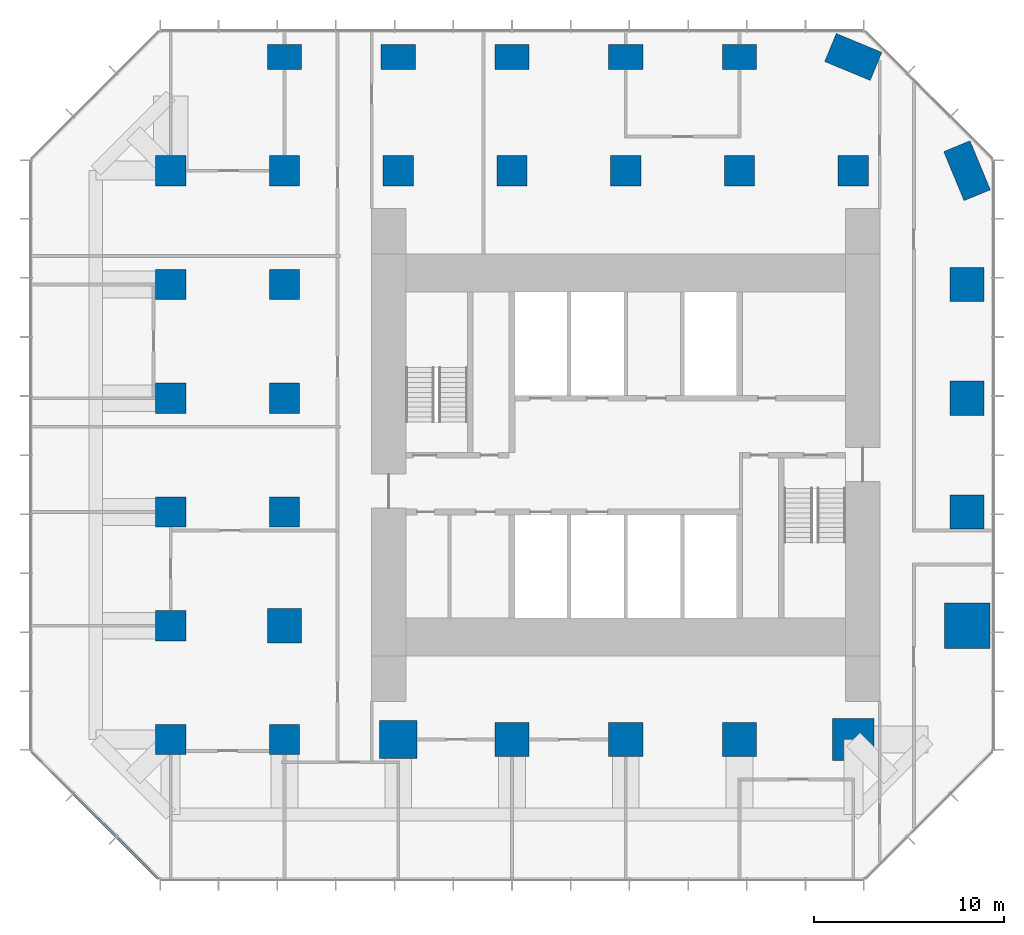
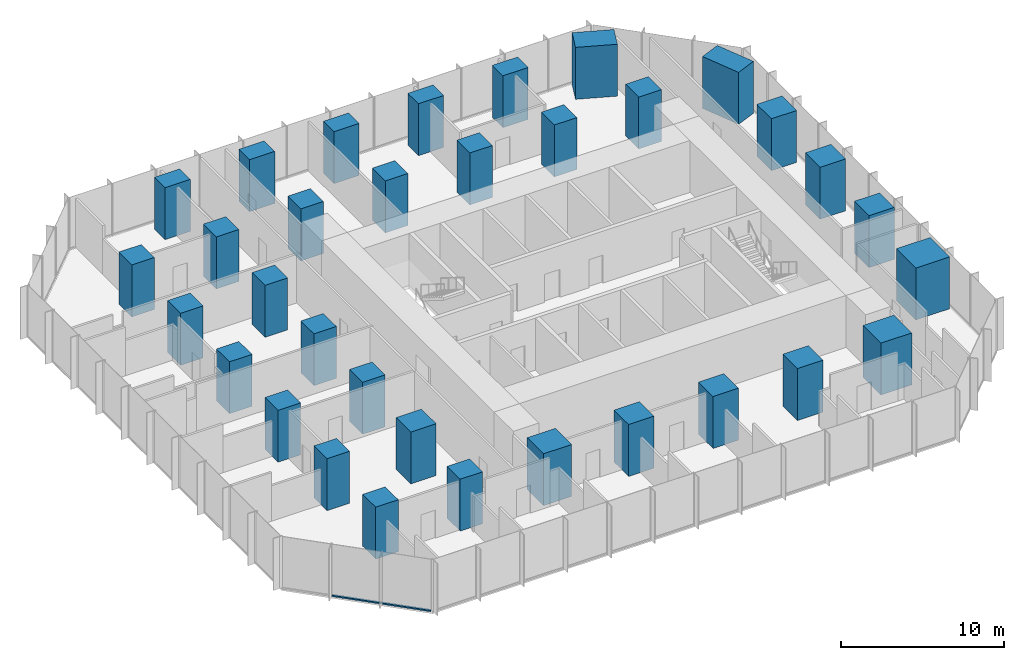
# One storey, part 1 of 11: 33 columns, 2 members, 1 element without a shape of its own.
"""IFC4 building model written with IfcOpenShell, lengths in metres."""

import ifcopenshell
import ifcopenshell.guid

model = None  # the IFC model being written
_history = None  # IfcOwnerHistory: only IFC2X3 demands one
_inside = {}  # id of a spatial element -> (the spatial element, [elements in it])
_under = {}  # id of a project, library or spatial element -> (it, [spatial elements below it])
_declared = {}  # id of a project -> (the project, [libraries it declares])
_typed = {}  # id of a type object -> (the type object, [elements of that type])
_made_of = {}  # id of a material, layer set ... -> (it, [elements and type objects made of it])


def new_model(schema):
    """Start an empty IFC model of exactly this schema.

    Asked for "IFC4X3", IfcOpenShell would pick the latest addendum, in which some entities
    have other attributes; the version numbers below select the first issue.
    IFC2X3 requires an IfcOwnerHistory on every rooted entity: one is made here for all.
    """
    global model, _history
    if schema == "IFC4X3":
        model = ifcopenshell.file(schema_version=(4, 3, 0, 0))
    else:
        model = ifcopenshell.file(schema=schema)
    _inside.clear()
    _under.clear()
    _declared.clear()
    _typed.clear()
    _made_of.clear()
    _history = None
    if model.schema == "IFC2X3":
        org = make("IfcOrganization", Name="unknown")
        user = make(
            "IfcPersonAndOrganization",
            ThePerson=make("IfcPerson", FamilyName="unknown"),
            TheOrganization=org,
        )
        app = make(
            "IfcApplication",
            ApplicationDeveloper=org,
            Version="unknown",
            ApplicationFullName="unknown",
            ApplicationIdentifier="unknown",
        )
        _history = make(
            "IfcOwnerHistory",
            OwningUser=user,
            OwningApplication=app,
            ChangeAction="ADDED",
            CreationDate=0,
        )
    return model


def make(cls, **values):
    """One entity of the class cls with the attributes given. An attribute that is None is left unset."""
    return model.create_entity(
        cls, **{name: value for name, value in values.items() if value is not None}
    )


def rooted(cls, **values):
    """An entity with a GlobalId (a new one), such as an element, a storey or a relation."""
    return make(cls, GlobalId=ifcopenshell.guid.new(), OwnerHistory=_history, **values)


def si_unit(unit_type, name, prefix=None):
    """IfcSIUnit, for example si_unit("LENGTHUNIT", "METRE", prefix="MILLI")."""
    return make("IfcSIUnit", UnitType=unit_type, Prefix=prefix, Name=name)


def assignment(units):
    """IfcUnitAssignment: the units of a project."""
    return None if units is None else make("IfcUnitAssignment", Units=units)


def point(xyz):
    """IfcCartesianPoint."""
    return None if xyz is None else make("IfcCartesianPoint", Coordinates=xyz)


def direction(xyz):
    """IfcDirection."""
    return None if xyz is None else make("IfcDirection", DirectionRatios=xyz)


def frame(location, z_axis=None, x_axis=None):
    """IfcAxis2Placement3D, a coordinate frame: its origin and axes. An axis left out is left unset."""
    return make(
        "IfcAxis2Placement3D",
        Location=point(location),
        Axis=direction(z_axis),
        RefDirection=direction(x_axis),
    )


def frame_2d(location, x_axis=None):
    """IfcAxis2Placement2D, a coordinate frame in the plane: its origin and x axis."""
    return make(
        "IfcAxis2Placement2D", Location=point(location), RefDirection=direction(x_axis)
    )


def origin():
    """The frame at (0, 0, 0) with its axes left unset."""
    return frame((0.0, 0.0, 0.0))


def origin_2d():
    """The frame at (0, 0) in the plane with its x axis left unset."""
    return frame_2d((0.0, 0.0))


def place(relative_to, where):
    """IfcLocalPlacement: puts the frame where relative to a parent placement (None: the world)."""
    return make(
        "IfcLocalPlacement", PlacementRelTo=relative_to, RelativePlacement=where
    )


def context(
    kind, dimensions, precision=None, world=None, true_north=None, identifier=None
):
    """IfcGeometricRepresentationContext, for example the 3D "Model" context."""
    return make(
        "IfcGeometricRepresentationContext",
        ContextIdentifier=identifier,
        ContextType=kind,
        CoordinateSpaceDimension=dimensions,
        Precision=precision,
        WorldCoordinateSystem=world,
        TrueNorth=true_north,
    )


def subcontext(parent, identifier, kind, view, scale=None):
    """IfcGeometricRepresentationSubContext, for example "Body" below "Model"."""
    return make(
        "IfcGeometricRepresentationSubContext",
        ContextIdentifier=identifier,
        ContextType=kind,
        ParentContext=parent,
        TargetScale=scale,
        TargetView=view,
    )


def project(units=None, contexts=None):
    """IfcProject with its units and contexts."""
    return rooted(
        "IfcProject",
        Name="project",
        RepresentationContexts=contexts,
        UnitsInContext=assignment(units),
    )


def spatial(cls, under=None, at=None, **own):
    """A site, building, storey or space (cls), placed at a placement, below another one or the project."""
    s = rooted(cls, ObjectPlacement=at, **own)
    if under is not None:
        _under.setdefault(under.id(), (under, []))[1].append(s)
    return s


def profile(cls, at=None, kind="AREA", **sizes):
    """A parametric profile (cls). Its sizes go by their IFC names, for example OverallWidth=200.0."""
    return make(cls, ProfileType=kind, Position=at, **sizes)


def rectangle(**sizes):
    """IfcRectangleProfileDef."""
    return profile("IfcRectangleProfileDef", **sizes)


def extrude(swept, where, along, depth):
    """IfcExtrudedAreaSolid: the profile swept, set in the frame where, extruded along a direction by depth."""
    return make(
        "IfcExtrudedAreaSolid",
        SweptArea=swept,
        Position=where,
        ExtrudedDirection=direction(along),
        Depth=depth,
    )


def shape(context_of_items, identifier, shape_type, items):
    """IfcShapeRepresentation: the items that make up one representation, for example the "Body"."""
    return make(
        "IfcShapeRepresentation",
        ContextOfItems=context_of_items,
        RepresentationIdentifier=identifier,
        RepresentationType=shape_type,
        Items=items,
    )


def material(Name=None, Category=None):
    """IfcMaterial."""
    return make("IfcMaterial", Name=Name, Category=Category)


def layer(
    of_material, thickness, ventilated=None, Name=None, Category=None, Priority=None
):
    """IfcMaterialLayer: one layer of a wall or slab, of a material (None: an air gap)."""
    return make(
        "IfcMaterialLayer",
        Material=of_material,
        LayerThickness=thickness,
        IsVentilated=ventilated,
        Name=Name,
        Category=Category,
        Priority=Priority,
    )


def layer_set(layers, Name=None):
    """IfcMaterialLayerSet."""
    return make("IfcMaterialLayerSet", MaterialLayers=layers, LayerSetName=Name)


def material_profile(
    of_material, cross_section, Name=None, Category=None, Priority=None
):
    """IfcMaterialProfile: a cross section and its material."""
    return make(
        "IfcMaterialProfile",
        Name=Name,
        Material=of_material,
        Profile=cross_section,
        Priority=Priority,
        Category=Category,
    )


def profile_set(profiles, Name=None, composite=None):
    """IfcMaterialProfileSet."""
    return make(
        "IfcMaterialProfileSet",
        Name=Name,
        MaterialProfiles=profiles,
        CompositeProfile=composite,
    )


def made_of(thing, what):
    """Note that an element or type object is made of a material, layer set ...; save() writes the relation."""
    if what is not None:
        _made_of.setdefault(what.id(), (what, []))[1].append(thing)
    return thing


def type_object(cls, material=None, **own):
    """A type object (cls), such as IfcWallType, which elements share."""
    return made_of(rooted(cls, **own), material)


def element(
    cls,
    number,
    at=None,
    inside=None,
    cuts=None,
    type_object=None,
    material=None,
    context=None,
    identifier="Body",
    shape_type=None,
    held_by="IfcProductDefinitionShape",
    body=None,
    shapes=None,
    **own,
):
    """One element of the class cls, such as IfcWall. Its Tag is "e" and its number.

    at: its placement. inside: the storey or other place that contains it. cuts: it is an
    opening in that element (IfcRelVoidsElement). A single representation is given by context,
    identifier, shape_type and body (its items); several are given by shapes. held_by: the class
    of the entity that holds the representations. save() writes the other relations.
    """
    e = rooted(cls, Tag="e%d" % number, ObjectPlacement=at, **own)
    if body is not None:
        shapes = [shape(context, identifier, shape_type, body)]
    if shapes is not None:
        e.Representation = make(held_by, Representations=shapes)
    if inside is not None:
        _inside.setdefault(inside.id(), (inside, []))[1].append(e)
    if cuts is not None:
        rooted(
            "IfcRelVoidsElement", RelatingBuildingElement=cuts, RelatedOpeningElement=e
        )
    if type_object is not None:
        _typed.setdefault(type_object.id(), (type_object, []))[1].append(e)
    return made_of(e, material)


def aggregate(whole, parts):
    """IfcRelAggregates: a whole, such as a stair, and the parts it consists of."""
    return rooted("IfcRelAggregates", RelatingObject=whole, RelatedObjects=parts)


def save(model, path):
    """Write the relations noted so far, then the file.

    IfcRelAggregates (storeys below a building ...), IfcRelContainedInSpatialStructure (elements
    in a storey), IfcRelDefinesByType, IfcRelAssociatesMaterial and IfcRelDeclares: one each for
    every whole, place, type object, material and project.
    """
    for whole, parts in _under.values():
        aggregate(whole, parts)
    for where, things in _inside.values():
        rooted(
            "IfcRelContainedInSpatialStructure",
            RelatedElements=things,
            RelatingStructure=where,
        )
    for kind, things in _typed.values():
        rooted("IfcRelDefinesByType", RelatedObjects=things, RelatingType=kind)
    for what, things in _made_of.values():
        rooted("IfcRelAssociatesMaterial", RelatedObjects=things, RelatingMaterial=what)
    for by, libraries in _declared.values():
        rooted("IfcRelDeclares", RelatingContext=by, RelatedDefinitions=libraries)
    model.write(path)


model = new_model("IFC4")

# Units and contexts
model_context = context("Model", 3, precision=1e-05, world=origin(), true_north=direction((0.0, 1.0)))
body_context = subcontext(model_context, "Body", "Model", "MODEL_VIEW")
ifc_project = project(units=[si_unit("LENGTHUNIT", "METRE"), si_unit("AREAUNIT", "SQUARE_METRE"), si_unit("VOLUMEUNIT", "CUBIC_METRE"), si_unit("PLANEANGLEUNIT", "RADIAN"), si_unit("MASSUNIT", "GRAM", prefix="KILO")], contexts=[model_context])

# Site, building, storey
site_placement = place(None, origin())
site = spatial("IfcSite", under=ifc_project, at=site_placement, CompositionType="ELEMENT")
building_placement = place(site_placement, origin())
building = spatial("IfcBuilding", under=site, at=building_placement, Name="Highveld Stack Headquarters", CompositionType="ELEMENT")
storey_placement = place(building_placement, frame((0.0, 0.0, 125.0)))
storey = spatial("IfcBuildingStorey", under=building, at=storey_placement, Name="L30", CompositionType="ELEMENT", Elevation=125.0)

# Columns
ifc_material_1 = material(Name="Concrete C60/75", Category="concrete")
ifc_material_profile_1 = material_profile(ifc_material_1, rectangle(XDim=1.60009765625, YDim=1.60009765625, at=origin_2d()), Name="RC 1600x1600")
ifc_profile_set_1 = profile_set([ifc_material_profile_1], Name="Concrete C60/75")
column_type_1 = type_object("IfcColumnType", Name="COLUMN RC 1600x1600 C60/75", PredefinedType="COLUMN", material=ifc_profile_set_1)
for number, where, z_axis, x_axis, name in (
    (1, (-18.0, -12.0, 0.0), (0.0, 0.0, 1.0), (1.0, 0.0, 0.0), "Column 3/C L30"),
    (2, (-18.0, -6.0, 0.0), (0.0, 0.0, 1.0), (1.0, 0.0, 0.0), "Column 3/D L30"),
    (3, (-18.0, 0.0, 0.0), (0.0, 0.0, 1.0), (1.0, 0.0, 0.0), "Column 3/E L30"),
    (4, (-18.0, 6.0, 0.0), (0.0, 0.0, 1.0), (1.0, 0.0, 0.0), "Column 3/F L30"),
    (5, (-18.0, 12.0, 0.0), (0.0, 0.0, 1.0), (1.0, 0.0, 0.0), "Column 3/G L30"),
    (6, (-18.0, 18.0, 0.0), (0.0, 0.0, 1.0), (1.0, 0.0, 0.0), "Column 3/H L30"),
    (7, (-12.0, -12.0, 0.0), (0.0, 0.0, 1.0), (1.0, 0.0, 0.0), "Column 4/C L30"),
    (8, (-12.0, 0.0, 0.0), (0.0, 0.0, 1.0), (1.0, 0.0, 0.0), "Column 4/E L30"),
    (9, (-12.0, 6.0, 0.0), (0.0, 0.0, 1.0), (1.0, 0.0, 0.0), "Column 4/F L30"),
    (10, (-12.0, 12.0, 0.0), (0.0, 0.0, 1.0), (1.0, 0.0, 0.0), "Column 4/G L30"),
    (11, (-12.0, 18.0, 0.0), (0.0, 0.0, 1.0), (1.0, 0.0, 0.0), "Column 4/H L30"),
    (12, (-6.0, 18.0, 0.0), (0.0, 0.0, 1.0), (1.0, 0.0, 0.0), "Column 5/H L30"),
    (13, (0.0, 18.0, 0.0), (0.0, 0.0, 1.0), (1.0, 0.0, 0.0), "Column 6/H L30"),
    (14, (6.0, 18.0, 0.0), (0.0, 0.0, 1.0), (1.0, 0.0, 0.0), "Column 7/H L30"),
    (15, (12.0, 18.0, 0.0), (0.0, 0.0, 1.0), (1.0, 0.0, 0.0), "Column 8/H L30"),
    (16, (18.0, 18.0, 0.0), (0.0, 0.0, 1.0), (1.0, 0.0, 0.0), "Column 9/H L30"),
):
    element("IfcColumn", number, at=place(storey_placement, frame(where, z_axis=z_axis, x_axis=x_axis)), inside=storey, type_object=column_type_1, Name=name, PredefinedType="COLUMN", context=body_context, shape_type="SweptSolid", body=[
        extrude(rectangle(XDim=1.60009765625, YDim=1.60009765625, at=origin_2d()), origin(), (0.0, 0.0, 1.0), 3.89990234375),
    ])
ifc_material_2 = material(Name="Concrete C60/75", Category="concrete")
ifc_material_profile_2 = material_profile(ifc_material_2, rectangle(XDim=1.800048828125, YDim=1.300048828125, at=origin_2d()), Name="RC 1800x1300")
ifc_profile_set_2 = profile_set([ifc_material_profile_2], Name="Concrete C60/75")
column_type_2 = type_object("IfcColumnType", Name="COLUMN RC 1800x1300 C60/75", PredefinedType="COLUMN", material=ifc_profile_set_2)
for number, where, z_axis, x_axis, name in (
    (17, (-12.0, 24.0, 0.0), (0.0, 0.0, 1.0), (1.0, 0.0, 0.0), "Column 4/J L30"),
    (18, (-6.0, 24.0, 0.0), (0.0, 0.0, 1.0), (1.0, 0.0, 0.0), "Column 5/J L30"),
    (19, (0.0, 24.0, 0.0), (0.0, 0.0, 1.0), (1.0, 0.0, 0.0), "Column 6/J L30"),
    (20, (6.0, 24.0, 0.0), (0.0, 0.0, 1.0), (1.0, 0.0, 0.0), "Column 7/J L30"),
    (21, (12.0, 24.0, 0.0), (0.0, 0.0, 1.0), (1.0, 0.0, 0.0), "Column 8/J L30"),
):
    element("IfcColumn", number, at=place(storey_placement, frame(where, z_axis=z_axis, x_axis=x_axis)), inside=storey, type_object=column_type_2, Name=name, PredefinedType="COLUMN", context=body_context, shape_type="SweptSolid", body=[
        extrude(rectangle(XDim=1.800048828125, YDim=1.300048828125, at=origin_2d()), origin(), (0.0, 0.0, 1.0), 3.89990234375),
    ])
ifc_material_3 = material(Name="Concrete C60/75", Category="concrete")
ifc_material_profile_3 = material_profile(ifc_material_3, rectangle(XDim=1.800048828125, YDim=1.800048828125, at=origin_2d()), Name="RC 1800x1800")
ifc_profile_set_3 = profile_set([ifc_material_profile_3], Name="Concrete C60/75")
column_type_3 = type_object("IfcColumnType", Name="COLUMN RC 1800x1800 C60/75", PredefinedType="COLUMN", material=ifc_profile_set_3)
for number, where, z_axis, x_axis, name in (
    (22, (-12.0, -6.0, 0.0), (0.0, 0.0, 1.0), (1.0, 0.0, 0.0), "Column 4/D L30"),
    (23, (0.0, -12.0, 0.0), (0.0, 0.0, 1.0), (1.0, 0.0, 0.0), "Column 6/C L30"),
    (24, (6.0, -12.0, 0.0), (0.0, 0.0, 1.0), (1.0, 0.0, 0.0), "Column 7/C L30"),
    (25, (12.0, -12.0, 0.0), (0.0, 0.0, 1.0), (1.0, 0.0, 0.0), "Column 8/C L30"),
    (26, (24.0, 0.0, 0.0), (0.0, 0.0, 1.0), (1.0, 0.0, 0.0), "Column 10/E L30"),
    (27, (24.0, 6.0, 0.0), (0.0, 0.0, 1.0), (1.0, 0.0, 0.0), "Column 10/F L30"),
    (28, (24.0, 12.0, 0.0), (0.0, 0.0, 1.0), (1.0, 0.0, 0.0), "Column 10/G L30"),
):
    element("IfcColumn", number, at=place(storey_placement, frame(where, z_axis=z_axis, x_axis=x_axis)), inside=storey, type_object=column_type_3, Name=name, PredefinedType="COLUMN", context=body_context, shape_type="SweptSolid", body=[
        extrude(rectangle(XDim=1.800048828125, YDim=1.800048828125, at=origin_2d()), origin(), (0.0, 0.0, 1.0), 3.89990234375),
    ])
ifc_material_4 = material(Name="Concrete C60/75", Category="concrete")
ifc_material_profile_4 = material_profile(ifc_material_4, rectangle(XDim=2.0, YDim=2.0, at=origin_2d()), Name="RC 2000x2000")
ifc_profile_set_4 = profile_set([ifc_material_profile_4], Name="Concrete C60/75")
column_type_4 = type_object("IfcColumnType", Name="COLUMN RC 2000x2000 C60/75", PredefinedType="COLUMN", material=ifc_profile_set_4)
column_1_placement = place(storey_placement, frame((-6.0, -12.0, 0.0), z_axis=(0.0, 0.0, 1.0), x_axis=(1.0, 0.0, 0.0)))
element("IfcColumn", 29, at=column_1_placement, inside=storey, type_object=column_type_4, Name="Column 5/C L30", PredefinedType="COLUMN", context=body_context, shape_type="SweptSolid", body=[
    extrude(rectangle(XDim=2.0, YDim=2.0, at=origin_2d()), origin(), (0.0, 0.0, 1.0), 3.89990234375),
])
ifc_material_5 = material(Name="Concrete C60/75", Category="concrete")
ifc_material_profile_5 = material_profile(ifc_material_5, rectangle(XDim=2.199951171875, YDim=2.199951171875, at=origin_2d()), Name="RC 2200x2200")
ifc_profile_set_5 = profile_set([ifc_material_profile_5], Name="Concrete C60/75")
column_type_5 = type_object("IfcColumnType", Name="COLUMN RC 2200x2200 C60/75", PredefinedType="COLUMN", material=ifc_profile_set_5)
column_2_placement = place(storey_placement, frame((18.0, -12.0, 0.0), z_axis=(0.0, 0.0, 1.0), x_axis=(1.0, 0.0, 0.0)))
element("IfcColumn", 30, at=column_2_placement, inside=storey, type_object=column_type_5, Name="Column 9/C L30", PredefinedType="COLUMN", context=body_context, shape_type="SweptSolid", body=[
    extrude(rectangle(XDim=2.199951171875, YDim=2.199951171875, at=origin_2d()), origin(), (0.0, 0.0, 1.0), 3.89990234375),
])
ifc_material_6 = material(Name="Concrete C60/75", Category="concrete")
ifc_material_profile_6 = material_profile(ifc_material_6, rectangle(XDim=2.39990234375, YDim=2.39990234375, at=origin_2d()), Name="RC 2400x2400")
ifc_profile_set_6 = profile_set([ifc_material_profile_6], Name="Concrete C60/75")
column_type_6 = type_object("IfcColumnType", Name="COLUMN RC 2400x2400 C60/75", PredefinedType="COLUMN", material=ifc_profile_set_6)
column_3_placement = place(storey_placement, frame((24.0, -6.0, 0.0), z_axis=(0.0, 0.0, 1.0), x_axis=(1.0, 0.0, 0.0)))
element("IfcColumn", 31, at=column_3_placement, inside=storey, type_object=column_type_6, Name="Column 10/D L30", PredefinedType="COLUMN", context=body_context, shape_type="SweptSolid", body=[
    extrude(rectangle(XDim=2.39990234375, YDim=2.39990234375, at=origin_2d()), origin(), (0.0, 0.0, 1.0), 3.89990234375),
])
ifc_material_7 = material(Name="Concrete C60/75", Category="concrete")
ifc_material_profile_7 = material_profile(ifc_material_7, rectangle(XDim=2.60009765625, YDim=1.60009765625, at=origin_2d()), Name="RC 2600x1600")
ifc_profile_set_7 = profile_set([ifc_material_profile_7], Name="Concrete C60/75")
column_type_7 = type_object("IfcColumnType", Name="COLUMN RC 2600x1600 C60/75", PredefinedType="COLUMN", material=ifc_profile_set_7)
column_4_placement = place(storey_placement, frame((18.0, 24.0, 0.0), z_axis=(0.0, 0.0, 1.0), x_axis=(0.923879532511, -0.382683432365, 0.0)))
element("IfcColumn", 32, at=column_4_placement, inside=storey, type_object=column_type_7, Name="Column 9/J L30", PredefinedType="COLUMN", context=body_context, shape_type="SweptSolid", body=[
    extrude(rectangle(XDim=2.60009765625, YDim=1.60009765625, at=origin_2d()), origin(), (0.0, 0.0, 1.0), 3.89990234375),
])
ifc_material_8 = material(Name="Concrete C60/75", Category="concrete")
ifc_material_profile_8 = material_profile(ifc_material_8, rectangle(XDim=2.800048828125, YDim=1.5, at=origin_2d()), Name="RC 2800x1500")
ifc_profile_set_8 = profile_set([ifc_material_profile_8], Name="Concrete C60/75")
column_type_8 = type_object("IfcColumnType", Name="COLUMN RC 2800x1500 C60/75", PredefinedType="COLUMN", material=ifc_profile_set_8)
column_5_placement = place(storey_placement, frame((24.0, 18.0, 0.0), z_axis=(0.0, 0.0, 1.0), x_axis=(0.382683432365, -0.923879532511, 0.0)))
element("IfcColumn", 33, at=column_5_placement, inside=storey, type_object=column_type_8, Name="Column 10/H L30", PredefinedType="COLUMN", context=body_context, shape_type="SweptSolid", body=[
    extrude(rectangle(XDim=2.800048828125, YDim=1.5, at=origin_2d()), origin(), (0.0, 0.0, 1.0), 3.89990234375),
])

# Curtain wall, members
ifc_material_9 = material(Name="Aluminium bronze anodised", Category="aluminium")
ifc_layer = layer(ifc_material_9, 0.199951171875)
ifc_layer_set = layer_set([ifc_layer], Name="Aluminium bronze anodised")
curtain_wall_type = type_object("IfcCurtainWallType", Name="CW2 TOWER CHAMFER UNITISED CURTAIN WALL", PredefinedType="NOTDEFINED", material=ifc_layer_set)
curtain_wall_placement = place(storey_placement, origin())
curtain_wall = element("IfcCurtainWall", 34, at=curtain_wall_placement, inside=storey, type_object=curtain_wall_type, Name="Curtain wall CW2 L30 SW", PredefinedType="NOTDEFINED")
ifc_material_10 = material(Name="Aluminium bronze anodised", Category="aluminium")
ifc_material_profile_9 = material_profile(ifc_material_10, rectangle(XDim=0.14990234375, YDim=0.10009765625, at=origin_2d()), Name="CW2 TRANSOM 150x100")
ifc_profile_set_9 = profile_set([ifc_material_profile_9], Name="Aluminium bronze anodised")
member_type = type_object("IfcMemberType", Name="CW2 STACK TRANSOM 150x100", PredefinedType="USERDEFINED", material=ifc_profile_set_9)
member_1_placement = place(storey_placement, frame((-23.103759765625, -14.876220703125, 0.050048828125), z_axis=(0.707106781187, -0.707106781187, 0.0), x_axis=(0.707106781187, 0.707106781187, 0.0)))
member_1 = element("IfcMember", 35, at=member_1_placement, type_object=member_type, Name="CW2 transom L30 2.1", ObjectType="TRANSOM", PredefinedType="USERDEFINED", context=body_context, shape_type="SweptSolid", body=[
    extrude(rectangle(XDim=0.14990234375, YDim=0.10009765625, at=origin_2d()), origin(), (0.0, 0.0, 1.0), 3.150146484375),
])
member_2_placement = place(storey_placement, frame((-20.830322265625, -17.149658203125, 0.050048828125), z_axis=(0.707106781187, -0.707106781187, 0.0), x_axis=(0.707106781187, 0.707106781187, 0.0)))
member_2 = element("IfcMember", 36, at=member_2_placement, type_object=member_type, Name="CW2 transom L30 3.1", ObjectType="TRANSOM", PredefinedType="USERDEFINED", context=body_context, shape_type="SweptSolid", body=[
    extrude(rectangle(XDim=0.14990234375, YDim=0.10009765625, at=origin_2d()), origin(), (0.0, 0.0, 1.0), 3.08251953125),
])
aggregate(curtain_wall, [member_1, member_2])

save(model, "model.ifc")
